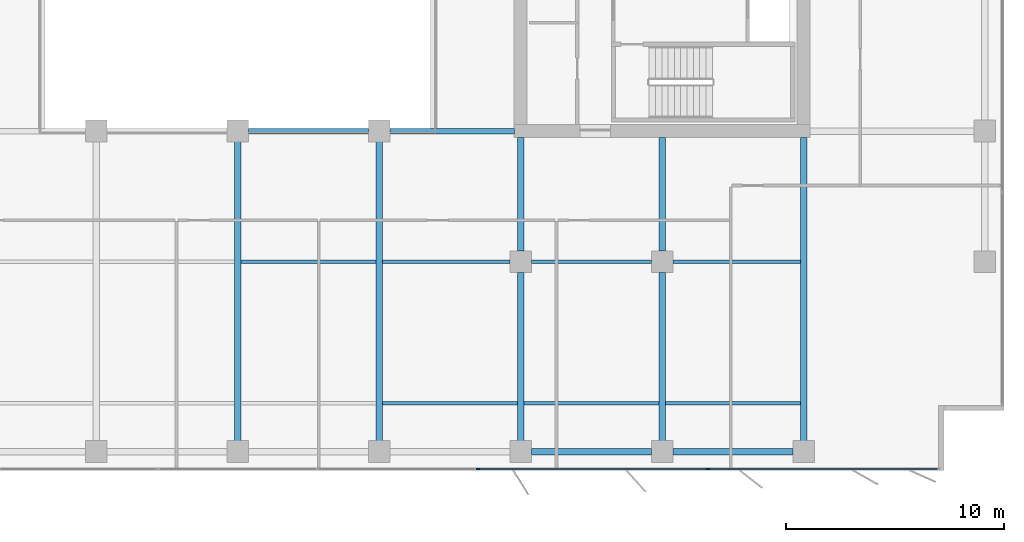
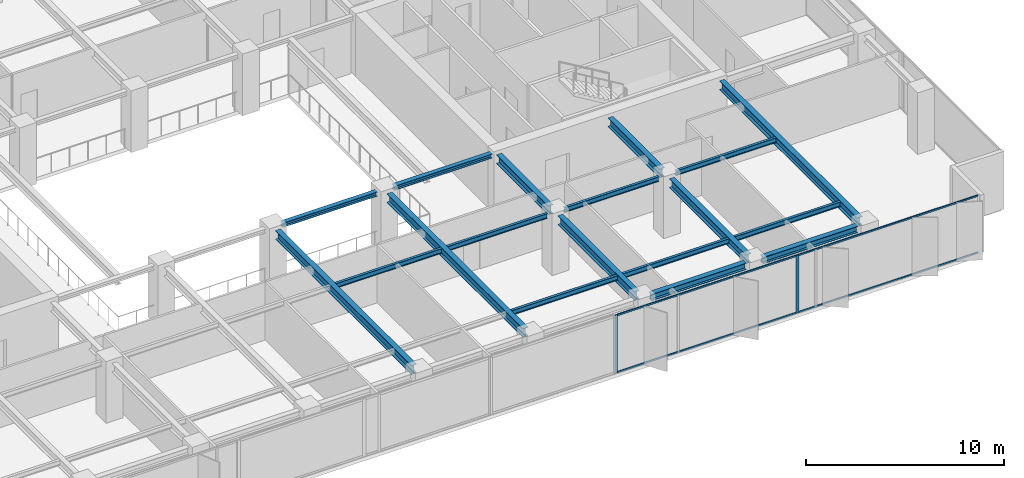
# One storey, part 6 of 22: 18 beams, 6 members, 1 element without a shape of its own.
"""IFC4 building model written with IfcOpenShell, lengths in metres."""

from ifc_helpers import new_model, si_unit, direction, frame, origin, origin_2d, place, context, subcontext, project, spatial, rectangle, i_section, extrude, material, layer, layer_set, material_profile, profile_set, type_object, element, aggregate, save


model = new_model("IFC4")

# Units and contexts
model_context = context("Model", 3, precision=1e-05, world=origin(), true_north=direction((0.0, 1.0)))
body_context = subcontext(model_context, "Body", "Model", "MODEL_VIEW")
ifc_project = project(units=[si_unit("LENGTHUNIT", "METRE"), si_unit("AREAUNIT", "SQUARE_METRE"), si_unit("VOLUMEUNIT", "CUBIC_METRE"), si_unit("PLANEANGLEUNIT", "RADIAN"), si_unit("MASSUNIT", "GRAM", prefix="KILO")], contexts=[model_context])

# Site, building, storey
site_placement = place(None, origin())
site = spatial("IfcSite", under=ifc_project, at=site_placement, CompositionType="ELEMENT")
building_placement = place(site_placement, origin())
building = spatial("IfcBuilding", under=site, at=building_placement, Name="Putna Gate Headquarters", CompositionType="ELEMENT")
storey_placement = place(building_placement, frame((0.0, 0.0, 163.199951171875)))
storey = spatial("IfcBuildingStorey", under=building, at=storey_placement, Name="L40", CompositionType="ELEMENT", Elevation=163.199951171875)

# Beams
ifc_material_1 = material(Name="Steel S355J2", Category="steel")
ifc_material_profile_1 = material_profile(ifc_material_1, i_section(OverallWidth=0.260009765625, OverallDepth=0.260009765625, WebThickness=0.010009765625, FlangeThickness=0.017578125, at=origin_2d()), Name="Steel S355J2")
ifc_profile_set_1 = profile_set([ifc_material_profile_1], Name="Steel S355J2")
beam_type_1 = type_object("IfcBeamType", Name="BM-ATRIUM-HEB260", PredefinedType="BEAM", material=ifc_profile_set_1)
beam_1_placement = place(storey_placement, frame((39.488037109375, 19.0, 3.442138671875), z_axis=(1.0, 0.0, 0.0), x_axis=(0.0, 1.0, 0.0)))
element("IfcBeam", 1, at=beam_1_placement, inside=storey, type_object=beam_type_1, Name="L40 Atrium Edge Beam AS3", PredefinedType="BEAM", context=body_context, shape_type="SweptSolid", body=[
    extrude(i_section(OverallWidth=0.260009765625, OverallDepth=0.260009765625, WebThickness=0.010009765625, FlangeThickness=0.017578125, at=origin_2d()), origin(), (0.0, 0.0, 1.0), 5.52392578125),
])
beam_2_placement = place(storey_placement, frame((45.988037109375, 19.0, 3.442138671875), z_axis=(1.0, 0.0, 0.0), x_axis=(0.0, 1.0, 0.0)))
element("IfcBeam", 2, at=beam_2_placement, inside=storey, type_object=beam_type_1, Name="L40 Atrium Edge Beam AS4", PredefinedType="BEAM", context=body_context, shape_type="SweptSolid", body=[
    extrude(i_section(OverallWidth=0.260009765625, OverallDepth=0.260009765625, WebThickness=0.010009765625, FlangeThickness=0.017578125, at=origin_2d()), origin(), (0.0, 0.0, 1.0), 5.72705078125),
])
ifc_material_profile_2 = material_profile(ifc_material_1, i_section(OverallWidth=0.300048828125, OverallDepth=0.550048828125, WebThickness=0.014892578125, FlangeThickness=0.029052734375, at=origin_2d()), Name="Steel S355J2")
ifc_profile_set_2 = profile_set([ifc_material_profile_2], Name="Steel S355J2")
beam_type_2 = type_object("IfcBeamType", Name="BM-GIRD-Z3-HEB550", PredefinedType="USERDEFINED", material=ifc_profile_set_2)
for number, where, z_axis, x_axis, name in (
    (3, (39.0, 4.76806640625, 3.297119140625), (0.0, 1.0, 0.0), (-1.0, 0.0, 0.0), "L40 South Primary Girder X39"),
    (4, (45.5, 4.76806640625, 3.297119140625), (0.0, 1.0, 0.0), (-1.0, 0.0, 0.0), "L40 South Primary Girder X45"),
):
    element("IfcBeam", number, at=place(storey_placement, frame(where, z_axis=z_axis, x_axis=x_axis)), inside=storey, type_object=beam_type_2, Name=name, ObjectType="GIRDER", PredefinedType="USERDEFINED", context=body_context, shape_type="SweptSolid", body=[
        extrude(i_section(OverallWidth=0.300048828125, OverallDepth=0.550048828125, WebThickness=0.014892578125, FlangeThickness=0.029052734375, at=origin_2d()), origin(), (0.0, 0.0, 1.0), 13.743896484375),
    ])
beam_3_placement = place(storey_placement, frame((52.0, 4.76806640625, 3.297119140625), z_axis=(0.0, 1.0, 0.0), x_axis=(-1.0, 0.0, 0.0)))
element("IfcBeam", 5, at=beam_3_placement, inside=storey, type_object=beam_type_2, Name="L40 South Primary Girder X52-1", ObjectType="GIRDER", PredefinedType="USERDEFINED", context=body_context, shape_type="SweptSolid", body=[
    extrude(i_section(OverallWidth=0.300048828125, OverallDepth=0.550048828125, WebThickness=0.014892578125, FlangeThickness=0.029052734375, at=origin_2d()), origin(), (0.0, 0.0, 1.0), 7.743896484375),
])
beam_4_placement = place(storey_placement, frame((52.0, 13.488037109375, 3.297119140625), z_axis=(0.0, 1.0, 0.0), x_axis=(-1.0, 0.0, 0.0)))
element("IfcBeam", 6, at=beam_4_placement, inside=storey, type_object=beam_type_2, Name="L40 South Primary Girder X52-2", ObjectType="GIRDER", PredefinedType="USERDEFINED", context=body_context, shape_type="SweptSolid", body=[
    extrude(i_section(OverallWidth=0.300048828125, OverallDepth=0.550048828125, WebThickness=0.014892578125, FlangeThickness=0.029052734375, at=origin_2d()), origin(), (0.0, 0.0, 1.0), 5.22705078125),
])
beam_5_placement = place(storey_placement, frame((58.5, 4.76806640625, 3.297119140625), z_axis=(0.0, 1.0, 0.0), x_axis=(-1.0, 0.0, 0.0)))
element("IfcBeam", 7, at=beam_5_placement, inside=storey, type_object=beam_type_2, Name="L40 South Primary Girder X58-1", ObjectType="GIRDER", PredefinedType="USERDEFINED", context=body_context, shape_type="SweptSolid", body=[
    extrude(i_section(OverallWidth=0.300048828125, OverallDepth=0.550048828125, WebThickness=0.014892578125, FlangeThickness=0.029052734375, at=origin_2d()), origin(), (0.0, 0.0, 1.0), 7.743896484375),
])
beam_6_placement = place(storey_placement, frame((58.5, 13.488037109375, 3.297119140625), z_axis=(0.0, 1.0, 0.0), x_axis=(-1.0, 0.0, 0.0)))
element("IfcBeam", 8, at=beam_6_placement, inside=storey, type_object=beam_type_2, Name="L40 South Primary Girder X58-2", ObjectType="GIRDER", PredefinedType="USERDEFINED", context=body_context, shape_type="SweptSolid", body=[
    extrude(i_section(OverallWidth=0.300048828125, OverallDepth=0.550048828125, WebThickness=0.014892578125, FlangeThickness=0.029052734375, at=origin_2d()), origin(), (0.0, 0.0, 1.0), 5.22705078125),
])
beam_7_placement = place(storey_placement, frame((65.0, 4.76806640625, 3.297119140625), z_axis=(0.0, 1.0, 0.0), x_axis=(-1.0, 0.0, 0.0)))
element("IfcBeam", 9, at=beam_7_placement, inside=storey, type_object=beam_type_2, Name="L40 South Primary Girder X65", ObjectType="GIRDER", PredefinedType="USERDEFINED", context=body_context, shape_type="SweptSolid", body=[
    extrude(i_section(OverallWidth=0.300048828125, OverallDepth=0.550048828125, WebThickness=0.014892578125, FlangeThickness=0.029052734375, at=origin_2d()), origin(), (0.0, 0.0, 1.0), 13.947021484375),
])
ifc_material_profile_3 = material_profile(ifc_material_1, i_section(OverallWidth=0.14990234375, OverallDepth=0.300048828125, WebThickness=0.007080078125, FlangeThickness=0.0107421875, at=origin_2d()), Name="Steel S355J2")
ifc_profile_set_3 = profile_set([ifc_material_profile_3], Name="Steel S355J2")
beam_type_3 = type_object("IfcBeamType", Name="BM-SEC-Z3-IPE300", PredefinedType="JOIST", material=ifc_profile_set_3)
for number, where, z_axis, x_axis, name in (
    (10, (39.154052734375, 13.0, 3.422119140625), (1.0, 0.0, 0.0), (0.0, 1.0, 0.0), "L40 South Secondary Beam 5"),
    (11, (45.654052734375, 6.5, 3.422119140625), (1.0, 0.0, 0.0), (0.0, 1.0, 0.0), "L40 South Secondary Beam 6"),
):
    element("IfcBeam", number, at=place(storey_placement, frame(where, z_axis=z_axis, x_axis=x_axis)), inside=storey, type_object=beam_type_3, Name=name, PredefinedType="JOIST", context=body_context, shape_type="SweptSolid", body=[
        extrude(i_section(OverallWidth=0.14990234375, OverallDepth=0.300048828125, WebThickness=0.007080078125, FlangeThickness=0.0107421875, at=origin_2d()), origin(), (0.0, 0.0, 1.0), 6.19189453125),
    ])
beam_8_placement = place(storey_placement, frame((45.654052734375, 13.0, 3.422119140625), z_axis=(1.0, 0.0, 0.0), x_axis=(0.0, 1.0, 0.0)))
element("IfcBeam", 12, at=beam_8_placement, inside=storey, type_object=beam_type_3, Name="L40 South Secondary Beam 6", PredefinedType="JOIST", context=body_context, shape_type="SweptSolid", body=[
    extrude(i_section(OverallWidth=0.14990234375, OverallDepth=0.300048828125, WebThickness=0.007080078125, FlangeThickness=0.0107421875, at=origin_2d()), origin(), (0.0, 0.0, 1.0), 5.85791015625),
])
beam_9_placement = place(storey_placement, frame((52.154052734375, 6.5, 3.422119140625), z_axis=(1.0, 0.0, 0.0), x_axis=(0.0, 1.0, 0.0)))
element("IfcBeam", 13, at=beam_9_placement, inside=storey, type_object=beam_type_3, Name="L40 South Secondary Beam 7", PredefinedType="JOIST", context=body_context, shape_type="SweptSolid", body=[
    extrude(i_section(OverallWidth=0.14990234375, OverallDepth=0.300048828125, WebThickness=0.007080078125, FlangeThickness=0.0107421875, at=origin_2d()), origin(), (0.0, 0.0, 1.0), 6.19189453125),
])
beam_10_placement = place(storey_placement, frame((52.488037109375, 13.0, 3.422119140625), z_axis=(1.0, 0.0, 0.0), x_axis=(0.0, 1.0, 0.0)))
element("IfcBeam", 14, at=beam_10_placement, inside=storey, type_object=beam_type_3, Name="L40 South Secondary Beam 7", PredefinedType="JOIST", context=body_context, shape_type="SweptSolid", body=[
    extrude(i_section(OverallWidth=0.14990234375, OverallDepth=0.300048828125, WebThickness=0.007080078125, FlangeThickness=0.0107421875, at=origin_2d()), origin(), (0.0, 0.0, 1.0), 5.52392578125),
])
beam_11_placement = place(storey_placement, frame((58.654052734375, 6.5, 3.422119140625), z_axis=(1.0, 0.0, 0.0), x_axis=(0.0, 1.0, 0.0)))
element("IfcBeam", 15, at=beam_11_placement, inside=storey, type_object=beam_type_3, Name="L40 South Secondary Beam 8", PredefinedType="JOIST", context=body_context, shape_type="SweptSolid", body=[
    extrude(i_section(OverallWidth=0.14990234375, OverallDepth=0.300048828125, WebThickness=0.007080078125, FlangeThickness=0.0107421875, at=origin_2d()), origin(), (0.0, 0.0, 1.0), 6.19189453125),
])
beam_12_placement = place(storey_placement, frame((58.988037109375, 13.0, 3.422119140625), z_axis=(1.0, 0.0, 0.0), x_axis=(0.0, 1.0, 0.0)))
element("IfcBeam", 16, at=beam_12_placement, inside=storey, type_object=beam_type_3, Name="L40 South Secondary Beam 8", PredefinedType="JOIST", context=body_context, shape_type="SweptSolid", body=[
    extrude(i_section(OverallWidth=0.14990234375, OverallDepth=0.300048828125, WebThickness=0.007080078125, FlangeThickness=0.0107421875, at=origin_2d()), origin(), (0.0, 0.0, 1.0), 5.85791015625),
])
ifc_material_profile_4 = material_profile(ifc_material_1, i_section(OverallWidth=0.300048828125, OverallDepth=0.39990234375, WebThickness=0.013427734375, FlangeThickness=0.02392578125, at=origin_2d()), Name="Steel S355J2")
ifc_profile_set_4 = profile_set([ifc_material_profile_4], Name="Steel S355J2")
beam_type_4 = type_object("IfcBeamType", Name="BM-SPAN-Z3-HEB400", PredefinedType="SPANDREL", material=ifc_profile_set_4)
for number, where, z_axis, x_axis, name in (
    (17, (52.488037109375, 4.280029296875, 3.3720703125), (1.0, 0.0, 0.0), (0.0, 1.0, 0.0), "L40 S Perimeter Spandrel 7"),
    (18, (58.988037109375, 4.280029296875, 3.3720703125), (1.0, 0.0, 0.0), (0.0, 1.0, 0.0), "L40 S Perimeter Spandrel 8"),
):
    element("IfcBeam", number, at=place(storey_placement, frame(where, z_axis=z_axis, x_axis=x_axis)), inside=storey, type_object=beam_type_4, Name=name, PredefinedType="SPANDREL", context=body_context, shape_type="SweptSolid", body=[
        extrude(i_section(OverallWidth=0.300048828125, OverallDepth=0.39990234375, WebThickness=0.013427734375, FlangeThickness=0.02392578125, at=origin_2d()), origin(), (0.0, 0.0, 1.0), 5.52392578125),
    ])

# Curtain wall, members
ifc_material_2 = material(Name="Anodised bronze aluminium curtain wall", Category="aluminium")
ifc_layer = layer(ifc_material_2, 0.159912109375)
ifc_layer_set = layer_set([ifc_layer], Name="Anodised bronze aluminium curtain wall")
curtain_wall_type = type_object("IfcCurtainWallType", Name="CW-SYS-Z3", PredefinedType="USERDEFINED", material=ifc_layer_set)
curtain_wall_placement = place(storey_placement, origin())
curtain_wall = element("IfcCurtainWall", 19, at=curtain_wall_placement, inside=storey, type_object=curtain_wall_type, Name="L40 South East Curtain Wall", ObjectType="STICK CURTAIN WALL", PredefinedType="USERDEFINED")
ifc_material_3 = material(Name="Anodised bronze aluminium EN AW-6060", Category="aluminium")
ifc_material_profile_5 = material_profile(ifc_material_3, rectangle(XDim=0.06494140625, YDim=0.159912109375, at=origin_2d()), Name="Anodised bronze aluminium EN AW-6060")
ifc_profile_set_5 = profile_set([ifc_material_profile_5], Name="Anodised bronze aluminium EN AW-6060")
member_type_1 = type_object("IfcMemberType", Name="MULL-CWM-3", PredefinedType="MULLION", material=ifc_profile_set_5)
member_1_placement = place(storey_placement, frame((50.032470703125, 3.47998046875, 0.0), z_axis=(0.0, 0.0, 1.0), x_axis=(0.0, 1.0, 0.0)))
member_1 = element("IfcMember", 20, at=member_1_placement, type_object=member_type_1, Name="CWS-3 mullion 1", PredefinedType="MULLION", context=body_context, shape_type="SweptSolid", body=[
    extrude(rectangle(XDim=0.06494140625, YDim=0.159912109375, at=origin_2d()), origin(), (0.0, 0.0, 1.0), 3.572021484375),
])
member_2_placement = place(storey_placement, frame((60.60009765625, 3.47998046875, 0.0), z_axis=(0.0, 0.0, 1.0), x_axis=(0.0, 1.0, 0.0)))
member_2 = element("IfcMember", 21, at=member_2_placement, type_object=member_type_1, Name="CWS-3 mullion 2", PredefinedType="MULLION", context=body_context, shape_type="SweptSolid", body=[
    extrude(rectangle(XDim=0.06494140625, YDim=0.159912109375, at=origin_2d()), origin(), (0.0, 0.0, 1.0), 3.572021484375),
])
ifc_material_profile_6 = material_profile(ifc_material_3, rectangle(XDim=0.06005859375, YDim=0.10009765625, at=origin_2d()), Name="Anodised bronze aluminium EN AW-6060")
ifc_profile_set_6 = profile_set([ifc_material_profile_6], Name="Anodised bronze aluminium EN AW-6060")
member_type_2 = type_object("IfcMemberType", Name="TRAN-CWT-3", PredefinedType="USERDEFINED", material=ifc_profile_set_6)
member_3_placement = place(storey_placement, frame((50.06494140625, 3.47998046875, 0.030029296875), z_axis=(1.0, 0.0, 0.0), x_axis=(0.0, 1.0, 0.0)))
member_3 = element("IfcMember", 22, at=member_3_placement, type_object=member_type_2, Name="CWS-3 transom 1.1", ObjectType="TRANSOM", PredefinedType="USERDEFINED", context=body_context, shape_type="SweptSolid", body=[
    extrude(rectangle(XDim=0.06005859375, YDim=0.10009765625, at=origin_2d()), origin(), (0.0, 0.0, 1.0), 10.50244140625),
])
member_4_placement = place(storey_placement, frame((50.06494140625, 3.47998046875, 3.5419921875), z_axis=(1.0, 0.0, 0.0), x_axis=(0.0, 1.0, 0.0)))
member_4 = element("IfcMember", 23, at=member_4_placement, type_object=member_type_2, Name="CWS-3 transom 1.2", ObjectType="TRANSOM", PredefinedType="USERDEFINED", context=body_context, shape_type="SweptSolid", body=[
    extrude(rectangle(XDim=0.06005859375, YDim=0.10009765625, at=origin_2d()), origin(), (0.0, 0.0, 1.0), 10.50244140625),
])
member_5_placement = place(storey_placement, frame((60.632568359375, 3.47998046875, 0.030029296875), z_axis=(1.0, 0.0, 0.0), x_axis=(0.0, 1.0, 0.0)))
member_5 = element("IfcMember", 24, at=member_5_placement, type_object=member_type_2, Name="CWS-3 transom 2.1", ObjectType="TRANSOM", PredefinedType="USERDEFINED", context=body_context, shape_type="SweptSolid", body=[
    extrude(rectangle(XDim=0.06005859375, YDim=0.10009765625, at=origin_2d()), origin(), (0.0, 0.0, 1.0), 10.50244140625),
])
member_6_placement = place(storey_placement, frame((60.632568359375, 3.47998046875, 3.5419921875), z_axis=(1.0, 0.0, 0.0), x_axis=(0.0, 1.0, 0.0)))
member_6 = element("IfcMember", 25, at=member_6_placement, type_object=member_type_2, Name="CWS-3 transom 2.2", ObjectType="TRANSOM", PredefinedType="USERDEFINED", context=body_context, shape_type="SweptSolid", body=[
    extrude(rectangle(XDim=0.06005859375, YDim=0.10009765625, at=origin_2d()), origin(), (0.0, 0.0, 1.0), 10.50244140625),
])
aggregate(curtain_wall, [member_1, member_2, member_3, member_4, member_5, member_6])

save(model, "model.ifc")
